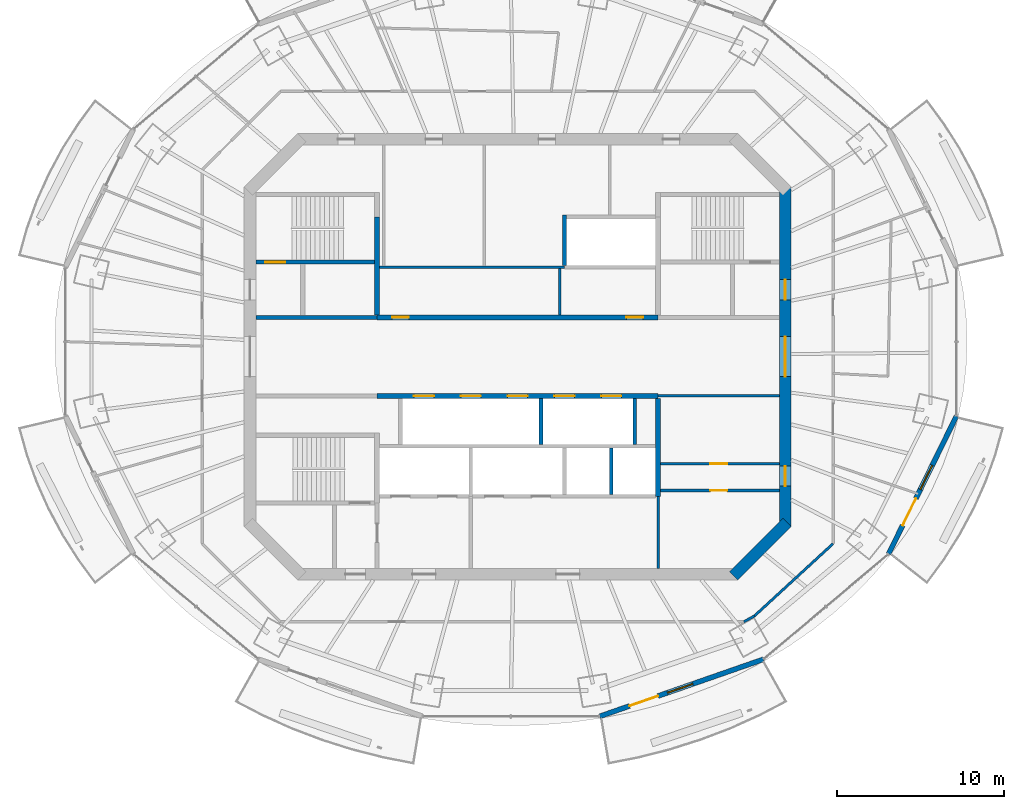
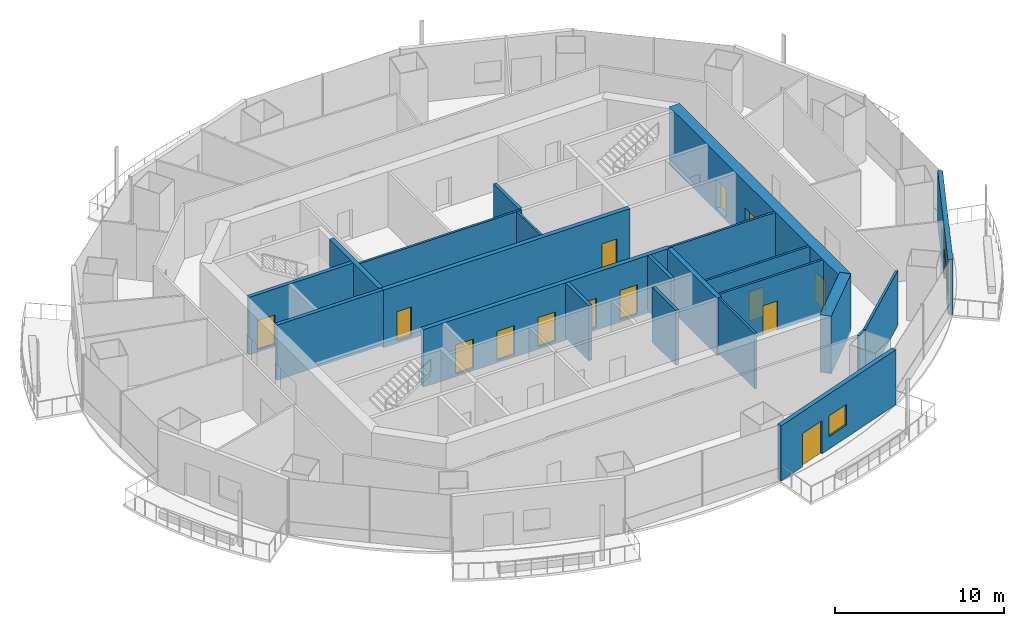
# One storey, part 9 of 16: 22 walls, 15 doors, 2 windows, 17 openings.
"""IFC4 building model written with IfcOpenShell, lengths in metres."""

from ifc_helpers import new_model, si_unit, direction, frame, frame_2d, origin, place, context, subcontext, project, spatial, rectangle, extrude, material, layer, layer_set, type_object, element, fill, save


model = new_model("IFC4")

# Units and contexts
model_context = context("Model", 3, precision=1e-05, world=origin(), true_north=direction((0.0, 1.0)))
body_context = subcontext(model_context, "Body", "Model", "MODEL_VIEW")
ifc_project = project(units=[si_unit("LENGTHUNIT", "METRE"), si_unit("AREAUNIT", "SQUARE_METRE"), si_unit("VOLUMEUNIT", "CUBIC_METRE"), si_unit("PLANEANGLEUNIT", "RADIAN"), si_unit("MASSUNIT", "GRAM", prefix="KILO")], contexts=[model_context])

# Site, building, storey
site_placement = place(None, origin())
site = spatial("IfcSite", under=ifc_project, at=site_placement, CompositionType="ELEMENT")
building_placement = place(site_placement, origin())
building = spatial("IfcBuilding", under=site, at=building_placement, Name="Marenthal Gate Tower", CompositionType="ELEMENT")
storey_placement = place(building_placement, frame((0.0, 0.0, 342.60009765625)))
storey = spatial("IfcBuildingStorey", under=building, at=storey_placement, Name="L77", CompositionType="ELEMENT", Elevation=342.60009765625)

# Wall
ifc_material_1 = material(Name="Concrete 60 MPa", Category="concrete")
ifc_layer_1 = layer(ifc_material_1, 0.699951171875)
ifc_layer_set_1 = layer_set([ifc_layer_1], Name="Core shear wall 700")
wall_type_1 = type_object("IfcWallType", Name="Core shear wall 700", PredefinedType="SHEAR", material=ifc_layer_set_1)
wall_1_placement = place(storey_placement, frame((12.8974609375, -13.1025390625, -0.18017578125), z_axis=(0.0, 0.0, 1.0), x_axis=(0.707106781187, 0.707106781187, 0.0)))
element("IfcWall", 1, at=wall_1_placement, inside=storey, type_object=wall_type_1, Name="Core wall 01", PredefinedType="SHEAR", context=body_context, shape_type="SweptSolid", body=[
    extrude(rectangle(XDim=4.53271484375, YDim=0.699951171875, at=frame_2d((2.266357421875, 0.0))), origin(), (0.0, 0.0, 1.0), 4.150146484375),
])

# Wall, openings, doors
wall_2_placement = place(storey_placement, frame((16.0, -10.14501953125, -0.18017578125), z_axis=(0.0, 0.0, 1.0), x_axis=(0.0, 1.0, 0.0)))
wall_2 = element("IfcWall", 2, at=wall_2_placement, inside=storey, type_object=wall_type_1, Name="Core wall 02", PredefinedType="SHEAR", context=body_context, shape_type="SweptSolid", body=[
    extrude(rectangle(XDim=20.2900390625, YDim=0.699951171875, at=frame_2d((10.14501953125, 0.0))), origin(), (0.0, 0.0, 1.0), 4.150146484375),
])
opening_1_placement = place(wall_2_placement, frame((8.945068359375, 0.0, 0.179931640625)))
opening_1 = element("IfcOpeningElement", 3, at=opening_1_placement, cuts=wall_2, Name="Opening D003.02", PredefinedType="OPENING", context=body_context, shape_type="SweptSolid", body=[
    extrude(rectangle(XDim=2.39990234375, YDim=2.10009765625, at=frame_2d((1.199951171875, 1.050048828125))), frame((0.0, 0.35986328125, 0.0), z_axis=(0.0, -1.0, 0.0), x_axis=(1.0, 0.0, 0.0)), (0.0, 0.0, 1.0), 0.719970703125),
])
opening_2_placement = place(wall_2_placement, frame((13.544921875, 0.0, 0.179931640625)))
opening_2 = element("IfcOpeningElement", 4, at=opening_2_placement, cuts=wall_2, Name="Opening D001.05", PredefinedType="OPENING", context=body_context, shape_type="SweptSolid", body=[
    extrude(rectangle(XDim=1.199951171875, YDim=2.10009765625, at=frame_2d((0.60009765625, 1.050048828125))), frame((0.0, 0.35986328125, 0.0), z_axis=(0.0, -1.0, 0.0), x_axis=(1.0, 0.0, 0.0)), (0.0, 0.0, 1.0), 0.719970703125),
])
opening_3_placement = place(wall_2_placement, frame((2.39990234375, 0.0, 0.179931640625)))
opening_3 = element("IfcOpeningElement", 5, at=opening_3_placement, cuts=wall_2, Name="Opening D006.01", PredefinedType="OPENING", context=body_context, shape_type="SweptSolid", body=[
    extrude(rectangle(XDim=1.199951171875, YDim=2.10009765625, at=frame_2d((0.60009765625, 1.050048828125))), frame((0.0, 0.35986328125, 0.0), z_axis=(0.0, -1.0, 0.0), x_axis=(1.0, 0.0, 0.0)), (0.0, 0.0, 1.0), 0.719970703125),
])
ifc_material_2 = material(Name="Steel fire door", Category="steel")
door_type_1 = type_object("IfcDoorType", Name="Double fire door FD 45 2400 x 2100", OperationType="DOUBLE_DOOR_SINGLE_SWING", PredefinedType="DOOR", material=ifc_material_2)
door_1_placement = place(opening_1_placement, origin())
door_1 = element("IfcDoor", 6, at=door_1_placement, inside=storey, type_object=door_type_1, Name="Door D003.02", OperationType="DOUBLE_DOOR_SINGLE_SWING", OverallHeight=2.10009765625, OverallWidth=2.39990234375, PredefinedType="DOOR", context=body_context, shape_type="SweptSolid", body=[
    extrude(rectangle(XDim=2.39990234375, YDim=2.10009765625, at=frame_2d((1.199951171875, 1.050048828125))), frame((0.0, 0.02490234375, 0.0), z_axis=(0.0, -1.0, 0.0), x_axis=(1.0, 0.0, 0.0)), (0.0, 0.0, 1.0), 0.050048828125),
])
fill(opening_1, door_1)
ifc_material_3 = material(Name="Steel fire door", Category="steel")
door_type_2 = type_object("IfcDoorType", Name="Fire door FD 45 1200 x 2100", OperationType="NOTDEFINED", PredefinedType="DOOR", material=ifc_material_3)
door_2_placement = place(opening_3_placement, origin())
door_2 = element("IfcDoor", 7, at=door_2_placement, inside=storey, type_object=door_type_2, Name="Door D006.01", OperationType="SINGLE_SWING_RIGHT", OverallHeight=2.10009765625, OverallWidth=1.199951171875, PredefinedType="DOOR", context=body_context, shape_type="SweptSolid", body=[
    extrude(rectangle(XDim=1.199951171875, YDim=2.10009765625, at=frame_2d((0.60009765625, 1.050048828125))), frame((0.0, 0.02490234375, 0.0), z_axis=(0.0, -1.0, 0.0), x_axis=(1.0, 0.0, 0.0)), (0.0, 0.0, 1.0), 0.050048828125),
])
fill(opening_3, door_2)
ifc_material_4 = material(Name="Steel fire door", Category="steel")
door_type_3 = type_object("IfcDoorType", Name="Fire door FD 90 1200 x 2100", OperationType="NOTDEFINED", PredefinedType="DOOR", material=ifc_material_4)
door_3_placement = place(opening_2_placement, origin())
door_3 = element("IfcDoor", 8, at=door_3_placement, inside=storey, type_object=door_type_3, Name="Door D001.05", OperationType="SINGLE_SWING_RIGHT", OverallHeight=2.10009765625, OverallWidth=1.199951171875, PredefinedType="DOOR", context=body_context, shape_type="SweptSolid", body=[
    extrude(rectangle(XDim=1.199951171875, YDim=2.10009765625, at=frame_2d((0.60009765625, 1.050048828125))), frame((0.0, 0.02490234375, 0.0), z_axis=(0.0, -1.0, 0.0), x_axis=(1.0, 0.0, 0.0)), (0.0, 0.0, 1.0), 0.050048828125),
])
fill(opening_2, door_3)

ifc_material_5 = material(Name="Concrete 50 MPa", Category="concrete")
ifc_layer_2 = layer(ifc_material_5, 0.300048828125)
ifc_layer_set_2 = layer_set([ifc_layer_2], Name="Hoistway shear wall 300")
wall_type_2 = type_object("IfcWallType", Name="Hoistway shear wall 300", PredefinedType="SHEAR", material=ifc_layer_set_2)
wall_3_placement = place(storey_placement, frame((-8.39990234375, -2.35009765625, -0.18017578125), z_axis=(0.0, 0.0, 1.0), x_axis=(1.0, 0.0, 0.0)))
wall_3 = element("IfcWall", 9, at=wall_3_placement, inside=storey, type_object=wall_type_2, Name="Hoistway wall 17", PredefinedType="SHEAR", context=body_context, shape_type="SweptSolid", body=[
    extrude(rectangle(XDim=16.7998046875, YDim=0.300048828125, at=frame_2d((8.39990234375, 0.0))), origin(), (0.0, 0.0, 1.0), 4.150146484375),
])
opening_4_placement = place(wall_3_placement, frame((2.199951171875, 0.0, 0.179931640625)))
opening_4 = element("IfcOpeningElement", 10, at=opening_4_placement, cuts=wall_3, Name="Opening LD-HP1", PredefinedType="OPENING", context=body_context, shape_type="SweptSolid", body=[
    extrude(rectangle(XDim=1.199951171875, YDim=2.10009765625, at=frame_2d((0.60009765625, 1.050048828125))), frame((0.0, 0.16015625, 0.0), z_axis=(0.0, -1.0, 0.0), x_axis=(1.0, 0.0, 0.0)), (0.0, 0.0, 1.0), 0.320068359375),
])
opening_5_placement = place(wall_3_placement, frame((5.0, 0.0, 0.179931640625)))
opening_5 = element("IfcOpeningElement", 11, at=opening_5_placement, cuts=wall_3, Name="Opening LD-HP2", PredefinedType="OPENING", context=body_context, shape_type="SweptSolid", body=[
    extrude(rectangle(XDim=1.199951171875, YDim=2.10009765625, at=frame_2d((0.60009765625, 1.050048828125))), frame((0.0, 0.16015625, 0.0), z_axis=(0.0, -1.0, 0.0), x_axis=(1.0, 0.0, 0.0)), (0.0, 0.0, 1.0), 0.320068359375),
])
opening_6_placement = place(wall_3_placement, frame((7.800048828125, 0.0, 0.179931640625)))
opening_6 = element("IfcOpeningElement", 12, at=opening_6_placement, cuts=wall_3, Name="Opening LD-HP3", PredefinedType="OPENING", context=body_context, shape_type="SweptSolid", body=[
    extrude(rectangle(XDim=1.199951171875, YDim=2.10009765625, at=frame_2d((0.60009765625, 1.050048828125))), frame((0.0, 0.16015625, 0.0), z_axis=(0.0, -1.0, 0.0), x_axis=(1.0, 0.0, 0.0)), (0.0, 0.0, 1.0), 0.320068359375),
])
opening_7_placement = place(wall_3_placement, frame((10.60009765625, 0.0, 0.179931640625)))
opening_7 = element("IfcOpeningElement", 13, at=opening_7_placement, cuts=wall_3, Name="Opening LD-HP4", PredefinedType="OPENING", context=body_context, shape_type="SweptSolid", body=[
    extrude(rectangle(XDim=1.199951171875, YDim=2.10009765625, at=frame_2d((0.60009765625, 1.050048828125))), frame((0.0, 0.16015625, 0.0), z_axis=(0.0, -1.0, 0.0), x_axis=(1.0, 0.0, 0.0)), (0.0, 0.0, 1.0), 0.320068359375),
])
opening_8_placement = place(wall_3_placement, frame((13.39990234375, 0.0, 0.179931640625)))
opening_8 = element("IfcOpeningElement", 14, at=opening_8_placement, cuts=wall_3, Name="Opening LD-HP5", PredefinedType="OPENING", context=body_context, shape_type="SweptSolid", body=[
    extrude(rectangle(XDim=1.199951171875, YDim=2.10009765625, at=frame_2d((0.60009765625, 1.050048828125))), frame((0.0, 0.16015625, 0.0), z_axis=(0.0, -1.0, 0.0), x_axis=(1.0, 0.0, 0.0)), (0.0, 0.0, 1.0), 0.320068359375),
])
ifc_material_6 = material(Name="Stainless steel sliding door", Category="steel")
door_type_4 = type_object("IfcDoorType", Name="Lift landing door FD 90 1200 x 2100", OperationType="DOUBLE_DOOR_SLIDING", PredefinedType="DOOR", material=ifc_material_6)
door_4_placement = place(opening_4_placement, origin())
door_4 = element("IfcDoor", 15, at=door_4_placement, inside=storey, type_object=door_type_4, Name="Lift landing door HP1", OperationType="DOUBLE_DOOR_SLIDING", OverallHeight=2.10009765625, OverallWidth=1.199951171875, PredefinedType="DOOR", context=body_context, shape_type="SweptSolid", body=[
    extrude(rectangle(XDim=1.199951171875, YDim=2.10009765625, at=frame_2d((0.60009765625, 1.050048828125))), frame((0.0, 0.02490234375, 0.0), z_axis=(0.0, -1.0, 0.0), x_axis=(1.0, 0.0, 0.0)), (0.0, 0.0, 1.0), 0.050048828125),
])
fill(opening_4, door_4)
door_5_placement = place(opening_5_placement, origin())
door_5 = element("IfcDoor", 16, at=door_5_placement, inside=storey, type_object=door_type_4, Name="Lift landing door HP2", OperationType="DOUBLE_DOOR_SLIDING", OverallHeight=2.10009765625, OverallWidth=1.199951171875, PredefinedType="DOOR", context=body_context, shape_type="SweptSolid", body=[
    extrude(rectangle(XDim=1.199951171875, YDim=2.10009765625, at=frame_2d((0.60009765625, 1.050048828125))), frame((0.0, 0.02490234375, 0.0), z_axis=(0.0, -1.0, 0.0), x_axis=(1.0, 0.0, 0.0)), (0.0, 0.0, 1.0), 0.050048828125),
])
fill(opening_5, door_5)
door_6_placement = place(opening_6_placement, origin())
door_6 = element("IfcDoor", 17, at=door_6_placement, inside=storey, type_object=door_type_4, Name="Lift landing door HP3", OperationType="DOUBLE_DOOR_SLIDING", OverallHeight=2.10009765625, OverallWidth=1.199951171875, PredefinedType="DOOR", context=body_context, shape_type="SweptSolid", body=[
    extrude(rectangle(XDim=1.199951171875, YDim=2.10009765625, at=frame_2d((0.60009765625, 1.050048828125))), frame((0.0, 0.02490234375, 0.0), z_axis=(0.0, -1.0, 0.0), x_axis=(1.0, 0.0, 0.0)), (0.0, 0.0, 1.0), 0.050048828125),
])
fill(opening_6, door_6)
door_7_placement = place(opening_7_placement, origin())
door_7 = element("IfcDoor", 18, at=door_7_placement, inside=storey, type_object=door_type_4, Name="Lift landing door HP4", OperationType="DOUBLE_DOOR_SLIDING", OverallHeight=2.10009765625, OverallWidth=1.199951171875, PredefinedType="DOOR", context=body_context, shape_type="SweptSolid", body=[
    extrude(rectangle(XDim=1.199951171875, YDim=2.10009765625, at=frame_2d((0.60009765625, 1.050048828125))), frame((0.0, 0.02490234375, 0.0), z_axis=(0.0, -1.0, 0.0), x_axis=(1.0, 0.0, 0.0)), (0.0, 0.0, 1.0), 0.050048828125),
])
fill(opening_7, door_7)
door_8_placement = place(opening_8_placement, origin())
door_8 = element("IfcDoor", 19, at=door_8_placement, inside=storey, type_object=door_type_4, Name="Lift landing door HP5", OperationType="DOUBLE_DOOR_SLIDING", OverallHeight=2.10009765625, OverallWidth=1.199951171875, PredefinedType="DOOR", context=body_context, shape_type="SweptSolid", body=[
    extrude(rectangle(XDim=1.199951171875, YDim=2.10009765625, at=frame_2d((0.60009765625, 1.050048828125))), frame((0.0, 0.02490234375, 0.0), z_axis=(0.0, -1.0, 0.0), x_axis=(1.0, 0.0, 0.0)), (0.0, 0.0, 1.0), 0.050048828125),
])
fill(opening_8, door_8)

wall_4_placement = place(storey_placement, frame((-8.39990234375, 2.35009765625, -0.18017578125), z_axis=(0.0, 0.0, 1.0), x_axis=(1.0, 0.0, 0.0)))
wall_4 = element("IfcWall", 20, at=wall_4_placement, inside=storey, type_object=wall_type_2, Name="Hoistway wall 20", PredefinedType="SHEAR", context=body_context, shape_type="SweptSolid", body=[
    extrude(rectangle(XDim=16.7998046875, YDim=0.300048828125, at=frame_2d((8.39990234375, 0.0))), origin(), (0.0, 0.0, 1.0), 4.150146484375),
])
opening_9_placement = place(wall_4_placement, frame((0.89990234375, 0.0, 0.179931640625)))
opening_9 = element("IfcOpeningElement", 21, at=opening_9_placement, cuts=wall_4, Name="Opening D005.01", PredefinedType="OPENING", context=body_context, shape_type="SweptSolid", body=[
    extrude(rectangle(XDim=1.0, YDim=2.10009765625, at=frame_2d((0.5, 1.050048828125))), frame((0.0, 0.16015625, 0.0), z_axis=(0.0, -1.0, 0.0), x_axis=(1.0, 0.0, 0.0)), (0.0, 0.0, 1.0), 0.320068359375),
])
opening_10_placement = place(wall_4_placement, frame((14.89990234375, 0.0, 0.179931640625)))
opening_10 = element("IfcOpeningElement", 22, at=opening_10_placement, cuts=wall_4, Name="Opening D005.02", PredefinedType="OPENING", context=body_context, shape_type="SweptSolid", body=[
    extrude(rectangle(XDim=1.0, YDim=2.10009765625, at=frame_2d((0.5, 1.050048828125))), frame((0.0, 0.16015625, 0.0), z_axis=(0.0, -1.0, 0.0), x_axis=(1.0, 0.0, 0.0)), (0.0, 0.0, 1.0), 0.320068359375),
])
ifc_material_7 = material(Name="Steel fire door", Category="steel")
door_type_5 = type_object("IfcDoorType", Name="Fire door FD 45 1000 x 2100", OperationType="NOTDEFINED", PredefinedType="DOOR", material=ifc_material_7)
door_9_placement = place(opening_9_placement, origin())
door_9 = element("IfcDoor", 23, at=door_9_placement, inside=storey, type_object=door_type_5, Name="Door D005.01", OperationType="SINGLE_SWING_RIGHT", OverallHeight=2.10009765625, OverallWidth=1.0, PredefinedType="DOOR", context=body_context, shape_type="SweptSolid", body=[
    extrude(rectangle(XDim=1.0, YDim=2.10009765625, at=frame_2d((0.5, 1.050048828125))), frame((0.0, 0.02490234375, 0.0), z_axis=(0.0, -1.0, 0.0), x_axis=(1.0, 0.0, 0.0)), (0.0, 0.0, 1.0), 0.050048828125),
])
fill(opening_9, door_9)
door_10_placement = place(opening_10_placement, origin())
door_10 = element("IfcDoor", 24, at=door_10_placement, inside=storey, type_object=door_type_5, Name="Door D005.02", OperationType="SINGLE_SWING_RIGHT", OverallHeight=2.10009765625, OverallWidth=1.0, PredefinedType="DOOR", context=body_context, shape_type="SweptSolid", body=[
    extrude(rectangle(XDim=1.0, YDim=2.10009765625, at=frame_2d((0.5, 1.050048828125))), frame((0.0, 0.02490234375, 0.0), z_axis=(0.0, -1.0, 0.0), x_axis=(1.0, 0.0, 0.0)), (0.0, 0.0, 1.0), 0.050048828125),
])
fill(opening_10, door_10)

# Walls
for number, where, z_axis, x_axis, name in (
    (25, (-8.39990234375, 2.5, -0.18017578125), (0.0, 0.0, 1.0), (0.0, 1.0, 0.0), "Hoistway wall 33"),
    (26, (8.39990234375, -8.35009765625, -0.18017578125), (0.0, 0.0, 1.0), (0.0, 1.0, 0.0), "Hoistway wall 48"),
):
    element("IfcWall", number, at=place(storey_placement, frame(where, z_axis=z_axis, x_axis=x_axis)), inside=storey, type_object=wall_type_2, Name=name, PredefinedType="SHEAR", context=body_context, shape_type="SweptSolid", body=[
        extrude(rectangle(XDim=5.85009765625, YDim=0.300048828125, at=frame_2d((2.925048828125, 0.0))), origin(), (0.0, 0.0, 1.0), 4.150146484375),
    ])
ifc_material_8 = material(Name="Concrete 40 MPa", Category="concrete")
ifc_layer_3 = layer(ifc_material_8, 0.219970703125)
ifc_layer_set_3 = layer_set([ifc_layer_3], Name="Hoistway wall 220")
wall_type_3 = type_object("IfcWallType", Name="Hoistway wall 220", PredefinedType="STANDARD", material=ifc_layer_set_3)
wall_5_placement = place(storey_placement, frame((1.39990234375, -5.239990234375, 0.0), z_axis=(0.0, 0.0, 1.0), x_axis=(0.0, 1.0, 0.0)))
element("IfcWall", 27, at=wall_5_placement, inside=storey, type_object=wall_type_3, Name="Hoistway wall 40", PredefinedType="STANDARD", context=body_context, shape_type="SweptSolid", body=[
    extrude(rectangle(XDim=2.739990234375, YDim=0.219970703125, at=frame_2d((1.3701171875, 0.0))), origin(), (0.0, 0.0, 1.0), 3.969970703125),
])
wall_6_placement = place(storey_placement, frame((2.800048828125, 5.4599609375, 0.0), z_axis=(0.0, 0.0, 1.0), x_axis=(0.0, 1.0, 0.0)))
element("IfcWall", 28, at=wall_6_placement, inside=storey, type_object=wall_type_3, Name="Hoistway wall 43", PredefinedType="STANDARD", context=body_context, shape_type="SweptSolid", body=[
    extrude(rectangle(XDim=3.0, YDim=0.219970703125, at=frame_2d((1.5, 0.0))), origin(), (0.0, 0.0, 1.0), 3.969970703125),
])
wall_7_placement = place(storey_placement, frame((5.60009765625, -8.239990234375, 0.0), z_axis=(0.0, 0.0, 1.0), x_axis=(0.0, 1.0, 0.0)))
element("IfcWall", 29, at=wall_7_placement, inside=storey, type_object=wall_type_3, Name="Hoistway wall 45", PredefinedType="STANDARD", context=body_context, shape_type="SweptSolid", body=[
    extrude(rectangle(XDim=2.780029296875, YDim=0.219970703125, at=frame_2d((1.39013671875, 0.0))), origin(), (0.0, 0.0, 1.0), 3.969970703125),
])
wall_8_placement = place(storey_placement, frame((7.0, -5.239990234375, 0.0), z_axis=(0.0, 0.0, 1.0), x_axis=(0.0, 1.0, 0.0)))
element("IfcWall", 30, at=wall_8_placement, inside=storey, type_object=wall_type_3, Name="Hoistway wall 46", PredefinedType="STANDARD", context=body_context, shape_type="SweptSolid", body=[
    extrude(rectangle(XDim=2.739990234375, YDim=0.219970703125, at=frame_2d((1.3701171875, 0.0))), origin(), (0.0, 0.0, 1.0), 3.969970703125),
])

# Wall, opening, door
ifc_material_9 = material(Name="Gypsum board on steel studs", Category="steel")
ifc_layer_4 = layer(ifc_material_9, 0.14990234375)
ifc_layer_set_4 = layer_set([ifc_layer_4], Name="Partition 150")
wall_type_4 = type_object("IfcWallType", Name="Partition 150", PredefinedType="PARTITIONING", material=ifc_layer_set_4)
wall_9_placement = place(storey_placement, frame((8.550048828125, -8.0, 0.0), z_axis=(0.0, 0.0, 1.0), x_axis=(1.0, 0.0, 0.0)))
wall_9 = element("IfcWall", 31, at=wall_9_placement, inside=storey, type_object=wall_type_4, Name="Partition wall 12", PredefinedType="PARTITIONING", context=body_context, shape_type="SweptSolid", body=[
    extrude(rectangle(XDim=7.099853515625, YDim=0.14990234375, at=frame_2d((3.5498046875, 0.0))), origin(), (0.0, 0.0, 1.0), 3.969970703125),
])
opening_11_placement = place(wall_9_placement, frame((2.97509765625, 0.0, 0.0)))
opening_11 = element("IfcOpeningElement", 32, at=opening_11_placement, cuts=wall_9, Name="Opening D005.08", PredefinedType="OPENING", context=body_context, shape_type="SweptSolid", body=[
    extrude(rectangle(XDim=1.0, YDim=2.10009765625, at=frame_2d((0.5, 1.050048828125))), frame((0.0, 0.0849609375, 0.0), z_axis=(0.0, -1.0, 0.0), x_axis=(1.0, 0.0, 0.0)), (0.0, 0.0, 1.0), 0.169921875),
])
door_11_placement = place(opening_11_placement, frame((1.0, 0.0, 0.0), z_axis=(0.0, 0.0, 1.0), x_axis=(-1.0, 0.0, 0.0)))
door_11 = element("IfcDoor", 33, at=door_11_placement, inside=storey, type_object=door_type_5, Name="Door D005.08", OperationType="SINGLE_SWING_LEFT", OverallHeight=2.10009765625, OverallWidth=1.0, PredefinedType="DOOR", context=body_context, shape_type="SweptSolid", body=[
    extrude(rectangle(XDim=1.0, YDim=2.10009765625, at=frame_2d((0.5, 1.050048828125))), frame((0.0, 0.02490234375, 0.0), z_axis=(0.0, -1.0, 0.0), x_axis=(1.0, 0.0, 0.0)), (0.0, 0.0, 1.0), 0.050048828125),
])
fill(opening_11, door_11)

wall_10_placement = place(storey_placement, frame((8.550048828125, -6.39990234375, 0.0), z_axis=(0.0, 0.0, 1.0), x_axis=(1.0, 0.0, 0.0)))
wall_10 = element("IfcWall", 34, at=wall_10_placement, inside=storey, type_object=wall_type_4, Name="Partition wall 13", PredefinedType="PARTITIONING", context=body_context, shape_type="SweptSolid", body=[
    extrude(rectangle(XDim=7.099853515625, YDim=0.14990234375, at=frame_2d((3.5498046875, 0.0))), origin(), (0.0, 0.0, 1.0), 3.969970703125),
])
opening_12_placement = place(wall_10_placement, frame((2.97509765625, 0.0, 0.0)))
opening_12 = element("IfcOpeningElement", 35, at=opening_12_placement, cuts=wall_10, Name="Opening D005.07", PredefinedType="OPENING", context=body_context, shape_type="SweptSolid", body=[
    extrude(rectangle(XDim=1.0, YDim=2.10009765625, at=frame_2d((0.5, 1.050048828125))), frame((0.0, 0.0849609375, 0.0), z_axis=(0.0, -1.0, 0.0), x_axis=(1.0, 0.0, 0.0)), (0.0, 0.0, 1.0), 0.169921875),
])
door_12_placement = place(opening_12_placement, origin())
door_12 = element("IfcDoor", 36, at=door_12_placement, inside=storey, type_object=door_type_5, Name="Door D005.07", OperationType="SINGLE_SWING_RIGHT", OverallHeight=2.10009765625, OverallWidth=1.0, PredefinedType="DOOR", context=body_context, shape_type="SweptSolid", body=[
    extrude(rectangle(XDim=1.0, YDim=2.10009765625, at=frame_2d((0.5, 1.050048828125))), frame((0.0, 0.02490234375, 0.0), z_axis=(0.0, -1.0, 0.0), x_axis=(1.0, 0.0, 0.0)), (0.0, 0.0, 1.0), 0.050048828125),
])
fill(opening_12, door_12)

# Walls
wall_11_placement = place(storey_placement, frame((8.39990234375, -2.35009765625, 0.0), z_axis=(0.0, 0.0, 1.0), x_axis=(1.0, 0.0, 0.0)))
element("IfcWall", 37, at=wall_11_placement, inside=storey, type_object=wall_type_4, Name="Partition wall 18", PredefinedType="PARTITIONING", context=body_context, shape_type="SweptSolid", body=[
    extrude(rectangle(XDim=7.25, YDim=0.14990234375, at=frame_2d((3.625, 0.0))), origin(), (0.0, 0.0, 1.0), 3.969970703125),
])
wall_12_placement = place(storey_placement, frame((-8.25, 5.35009765625, 0.0), z_axis=(0.0, 0.0, 1.0), x_axis=(1.0, 0.0, 0.0)))
element("IfcWall", 38, at=wall_12_placement, inside=storey, type_object=wall_type_4, Name="Partition wall 22", PredefinedType="PARTITIONING", context=body_context, shape_type="SweptSolid", body=[
    extrude(rectangle(XDim=11.050048828125, YDim=0.14990234375, at=frame_2d((5.52490234375, 0.0))), origin(), (0.0, 0.0, 1.0), 3.969970703125),
])
wall_13_placement = place(storey_placement, frame((2.52001953125, 2.5, 0.0), z_axis=(0.0, 0.0, 1.0), x_axis=(0.0, 1.0, 0.0)))
element("IfcWall", 39, at=wall_13_placement, inside=storey, type_object=wall_type_4, Name="Partition wall 41", PredefinedType="PARTITIONING", context=body_context, shape_type="SweptSolid", body=[
    extrude(rectangle(XDim=2.77490234375, YDim=0.14990234375, at=frame_2d((1.387451171875, 0.0))), origin(), (0.0, 0.0, 1.0), 3.969970703125),
])
wall_14_placement = place(storey_placement, frame((8.39990234375, -12.64990234375, 0.0), z_axis=(0.0, 0.0, 1.0), x_axis=(0.0, 1.0, 0.0)))
element("IfcWall", 40, at=wall_14_placement, inside=storey, type_object=wall_type_4, Name="Partition wall 47", PredefinedType="PARTITIONING", context=body_context, shape_type="SweptSolid", body=[
    extrude(rectangle(XDim=4.2998046875, YDim=0.14990234375, at=frame_2d((2.14990234375, 0.0))), origin(), (0.0, 0.0, 1.0), 3.969970703125),
])
wall_15_placement = place(storey_placement, frame((14.152587890625, -15.4990234375, 0.0), z_axis=(0.0, 0.0, 1.0), x_axis=(-0.874045695272, -0.485843722381, 0.0)))
element("IfcWall", 41, at=wall_15_placement, inside=storey, type_object=wall_type_4, Name="Partition wall 67", PredefinedType="PARTITIONING", context=body_context, shape_type="SweptSolid", body=[
    extrude(rectangle(XDim=0.72265625, YDim=0.14990234375, at=frame_2d((0.361328125, 0.0))), origin(), (0.0, 0.0, 1.0), 3.969970703125),
])
wall_16_placement = place(storey_placement, frame((18.85009765625, -11.180419921875, 0.0), z_axis=(0.0, 0.0, 1.0), x_axis=(-0.736173458932, -0.676792906556, 0.0)))
element("IfcWall", 42, at=wall_16_placement, inside=storey, type_object=wall_type_4, Name="Partition wall 69", PredefinedType="PARTITIONING", context=body_context, shape_type="SweptSolid", body=[
    extrude(rectangle(XDim=6.381103515625, YDim=0.14990234375, at=frame_2d((3.1904296875, 0.0))), origin(), (0.0, 0.0, 1.0), 3.969970703125),
])
ifc_material_10 = material(Name="Concrete 40 MPa", Category="concrete")
ifc_layer_5 = layer(ifc_material_10, 0.25)
ifc_layer_set_5 = layer_set([ifc_layer_5], Name="Stair enclosure wall 250")
wall_type_5 = type_object("IfcWallType", Name="Stair enclosure wall 250", PredefinedType="STANDARD", material=ifc_layer_set_5)
wall_17_placement = place(storey_placement, frame((-15.64990234375, 2.35009765625, 0.0), z_axis=(0.0, 0.0, 1.0), x_axis=(1.0, 0.0, 0.0)))
element("IfcWall", 43, at=wall_17_placement, inside=storey, type_object=wall_type_5, Name="Stair wall 19", PredefinedType="STANDARD", context=body_context, shape_type="SweptSolid", body=[
    extrude(rectangle(XDim=7.25, YDim=0.25, at=frame_2d((3.625, 0.0))), origin(), (0.0, 0.0, 1.0), 3.969970703125),
])

# Wall, opening, door
ifc_material_11 = material(Name="Concrete 50 MPa", Category="concrete")
ifc_layer_6 = layer(ifc_material_11, 0.25)
ifc_layer_set_6 = layer_set([ifc_layer_6], Name="Stair shear wall 250")
wall_type_6 = type_object("IfcWallType", Name="Stair shear wall 250", PredefinedType="SHEAR", material=ifc_layer_set_6)
wall_18_placement = place(storey_placement, frame((-15.64990234375, 5.64990234375, -0.18017578125), z_axis=(0.0, 0.0, 1.0), x_axis=(1.0, 0.0, 0.0)))
wall_18 = element("IfcWall", 44, at=wall_18_placement, inside=storey, type_object=wall_type_6, Name="Stair wall 24", PredefinedType="SHEAR", context=body_context, shape_type="SweptSolid", body=[
    extrude(rectangle(XDim=7.099853515625, YDim=0.25, at=frame_2d((3.5498046875, 0.0))), origin(), (0.0, 0.0, 1.0), 4.150146484375),
])
opening_13_placement = place(wall_18_placement, frame((0.550048828125, 0.0, 0.179931640625)))
opening_13 = element("IfcOpeningElement", 45, at=opening_13_placement, cuts=wall_18, Name="Opening D001.01", PredefinedType="OPENING", context=body_context, shape_type="SweptSolid", body=[
    extrude(rectangle(XDim=1.199951171875, YDim=2.10009765625, at=frame_2d((0.60009765625, 1.050048828125))), frame((0.0, 0.135009765625, 0.0), z_axis=(0.0, -1.0, 0.0), x_axis=(1.0, 0.0, 0.0)), (0.0, 0.0, 1.0), 0.27001953125),
])
door_13_placement = place(opening_13_placement, origin())
door_13 = element("IfcDoor", 46, at=door_13_placement, inside=storey, type_object=door_type_3, Name="Door D001.01", OperationType="SINGLE_SWING_RIGHT", OverallHeight=2.10009765625, OverallWidth=1.199951171875, PredefinedType="DOOR", context=body_context, shape_type="SweptSolid", body=[
    extrude(rectangle(XDim=1.199951171875, YDim=2.10009765625, at=frame_2d((0.60009765625, 1.050048828125))), frame((0.0, 0.02490234375, 0.0), z_axis=(0.0, -1.0, 0.0), x_axis=(1.0, 0.0, 0.0)), (0.0, 0.0, 1.0), 0.050048828125),
])
fill(opening_13, door_13)

# Wall, openings, door, window
ifc_material_12 = material(Name="Terracotta cladding on insulated concrete-block backing", Category="masonry")
ifc_layer_7 = layer(ifc_material_12, 0.300048828125)
ifc_layer_set_7 = layer_set([ifc_layer_7], Name="Terracotta facade wall 300")
wall_type_7 = type_object("IfcWallType", Name="Terracotta facade wall 300", PredefinedType="SOLIDWALL", material=ifc_layer_set_7)
wall_19_placement = place(storey_placement, frame((4.896484375, -21.503173828125, 0.0), z_axis=(0.0, 0.0, 1.0), x_axis=(0.944291634301, 0.329109874341, 0.0)))
wall_19 = element("IfcWall", 47, at=wall_19_placement, inside=storey, type_object=wall_type_7, Name="Terracotta facade wall L77 bay 13", PredefinedType="SOLIDWALL", context=body_context, shape_type="SweptSolid", body=[
    extrude(rectangle(XDim=10.364013671875, YDim=0.300048828125, at=frame_2d((5.18212890625, 0.0))), origin(), (0.0, 0.0, 1.0), 3.969970703125),
])
opening_14_placement = place(wall_19_placement, frame((1.89990234375, 0.0, 0.0)))
opening_14 = element("IfcOpeningElement", 48, at=opening_14_placement, cuts=wall_19, Name="Opening BD-L77-13", PredefinedType="OPENING", context=body_context, shape_type="SweptSolid", body=[
    extrude(rectangle(XDim=1.800048828125, YDim=2.39990234375, at=frame_2d((0.89990234375, 1.199951171875))), frame((0.0, 0.16015625, 0.0), z_axis=(0.0, -1.0, 0.0), x_axis=(1.0, 0.0, 0.0)), (0.0, 0.0, 1.0), 0.320068359375),
])
opening_15_placement = place(wall_19_placement, frame((4.300048828125, 0.0, 0.89990234375)))
opening_15 = element("IfcOpeningElement", 49, at=opening_15_placement, cuts=wall_19, Name="Opening WN3-L77-13", PredefinedType="OPENING", context=body_context, shape_type="SweptSolid", body=[
    extrude(rectangle(XDim=1.60009765625, YDim=1.5, at=frame_2d((0.800048828125, 0.75))), frame((0.0, 0.16015625, 0.0), z_axis=(0.0, -1.0, 0.0), x_axis=(1.0, 0.0, 0.0)), (0.0, 0.0, 1.0), 0.320068359375),
])
ifc_material_13 = material(Name="Aluminium and glass", Category="aluminium")
door_type_6 = type_object("IfcDoorType", Name="Balcony door 1800x2400", OperationType="DOUBLE_DOOR_SINGLE_SWING", PredefinedType="DOOR", material=ifc_material_13)
door_14_placement = place(opening_14_placement, origin())
door_14 = element("IfcDoor", 50, at=door_14_placement, inside=storey, type_object=door_type_6, Name="Balcony door L77 bay 13", OperationType="SINGLE_SWING_LEFT", OverallHeight=2.39990234375, OverallWidth=1.800048828125, PredefinedType="DOOR", context=body_context, shape_type="SweptSolid", body=[
    extrude(rectangle(XDim=1.800048828125, YDim=2.39990234375, at=frame_2d((0.89990234375, 1.199951171875))), frame((0.0, 0.02490234375, 0.0), z_axis=(0.0, -1.0, 0.0), x_axis=(1.0, 0.0, 0.0)), (0.0, 0.0, 1.0), 0.050048828125),
])
fill(opening_14, door_14)
ifc_material_14 = material(Name="Aluminium and glass", Category="aluminium")
window_type = type_object("IfcWindowType", Name="Window 1600x1500", PartitioningType="DOUBLE_PANEL_VERTICAL", PredefinedType="WINDOW", material=ifc_material_14)
window_1_placement = place(opening_15_placement, origin())
window_1 = element("IfcWindow", 51, at=window_1_placement, inside=storey, type_object=window_type, Name="Window L77 bay 13", OverallHeight=1.5, OverallWidth=1.60009765625, PartitioningType="SINGLE_PANEL", PredefinedType="WINDOW", context=body_context, shape_type="SweptSolid", body=[
    extrude(rectangle(XDim=1.60009765625, YDim=1.5, at=frame_2d((0.800048828125, 0.75))), frame((0.0, 0.030029296875, 0.0), z_axis=(0.0, -1.0, 0.0), x_axis=(1.0, 0.0, 0.0)), (0.0, 0.0, 1.0), 0.06005859375),
])
fill(opening_15, window_1)

wall_20_placement = place(storey_placement, frame((22.173583984375, -11.790283203125, 0.0), z_axis=(0.0, 0.0, 1.0), x_axis=(0.441682707494, 0.89717132472, 0.0)))
wall_20 = element("IfcWall", 52, at=wall_20_placement, inside=storey, type_object=wall_type_7, Name="Terracotta facade wall L77 bay 15", PredefinedType="SOLIDWALL", context=body_context, shape_type="SweptSolid", body=[
    extrude(rectangle(XDim=9.177978515625, YDim=0.300048828125, at=frame_2d((4.5888671875, 0.0))), origin(), (0.0, 0.0, 1.0), 3.969970703125),
])
opening_16_placement = place(wall_20_placement, frame((1.89990234375, 0.0, 0.0)))
opening_16 = element("IfcOpeningElement", 53, at=opening_16_placement, cuts=wall_20, Name="Opening BD-L77-15", PredefinedType="OPENING", context=body_context, shape_type="SweptSolid", body=[
    extrude(rectangle(XDim=1.800048828125, YDim=2.39990234375, at=frame_2d((0.89990234375, 1.199951171875))), frame((0.0, 0.16015625, 0.0), z_axis=(0.0, -1.0, 0.0), x_axis=(1.0, 0.0, 0.0)), (0.0, 0.0, 1.0), 0.320068359375),
])
opening_17_placement = place(wall_20_placement, frame((4.300048828125, 0.0, 0.89990234375)))
opening_17 = element("IfcOpeningElement", 54, at=opening_17_placement, cuts=wall_20, Name="Opening WN3-L77-15", PredefinedType="OPENING", context=body_context, shape_type="SweptSolid", body=[
    extrude(rectangle(XDim=1.60009765625, YDim=1.5, at=frame_2d((0.800048828125, 0.75))), frame((0.0, 0.16015625, 0.0), z_axis=(0.0, -1.0, 0.0), x_axis=(1.0, 0.0, 0.0)), (0.0, 0.0, 1.0), 0.320068359375),
])
door_15_placement = place(opening_16_placement, origin())
door_15 = element("IfcDoor", 55, at=door_15_placement, inside=storey, type_object=door_type_6, Name="Balcony door L77 bay 15", OperationType="SINGLE_SWING_LEFT", OverallHeight=2.39990234375, OverallWidth=1.800048828125, PredefinedType="DOOR", context=body_context, shape_type="SweptSolid", body=[
    extrude(rectangle(XDim=1.800048828125, YDim=2.39990234375, at=frame_2d((0.89990234375, 1.199951171875))), frame((0.0, 0.02490234375, 0.0), z_axis=(0.0, -1.0, 0.0), x_axis=(1.0, 0.0, 0.0)), (0.0, 0.0, 1.0), 0.050048828125),
])
fill(opening_16, door_15)
window_2_placement = place(opening_17_placement, origin())
window_2 = element("IfcWindow", 56, at=window_2_placement, inside=storey, type_object=window_type, Name="Window L77 bay 15", OverallHeight=1.5, OverallWidth=1.60009765625, PartitioningType="SINGLE_PANEL", PredefinedType="WINDOW", context=body_context, shape_type="SweptSolid", body=[
    extrude(rectangle(XDim=1.60009765625, YDim=1.5, at=frame_2d((0.800048828125, 0.75))), frame((0.0, 0.030029296875, 0.0), z_axis=(0.0, -1.0, 0.0), x_axis=(1.0, 0.0, 0.0)), (0.0, 0.0, 1.0), 0.06005859375),
])
fill(opening_17, window_2)

save(model, "model.ifc")
